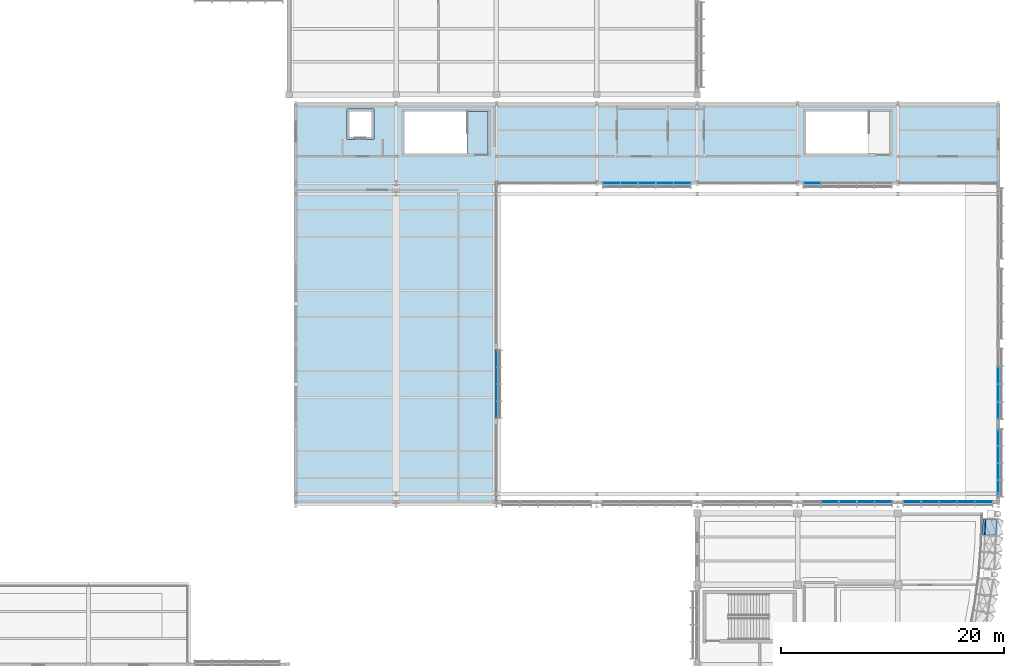
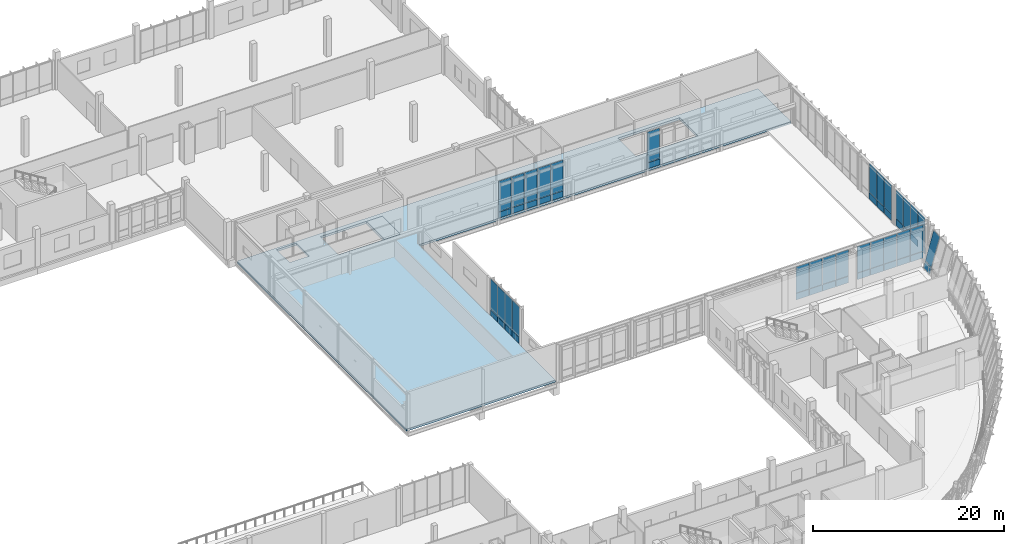
# One storey, part 141 of 177: 54 plates, 2 slabs, 8 elements without a shape of their own.
"""IFC4 building model written with IfcOpenShell, lengths in metres."""

import ifcopenshell
import ifcopenshell.guid

model = None  # the IFC model being written
_history = None  # IfcOwnerHistory: only IFC2X3 demands one
_inside = {}  # id of a spatial element -> (the spatial element, [elements in it])
_under = {}  # id of a project, library or spatial element -> (it, [spatial elements below it])
_declared = {}  # id of a project -> (the project, [libraries it declares])
_typed = {}  # id of a type object -> (the type object, [elements of that type])
_made_of = {}  # id of a material, layer set ... -> (it, [elements and type objects made of it])


def new_model(schema):
    """Start an empty IFC model of exactly this schema.

    Asked for "IFC4X3", IfcOpenShell would pick the latest addendum, in which some entities
    have other attributes; the version numbers below select the first issue.
    IFC2X3 requires an IfcOwnerHistory on every rooted entity: one is made here for all.
    """
    global model, _history
    if schema == "IFC4X3":
        model = ifcopenshell.file(schema_version=(4, 3, 0, 0))
    else:
        model = ifcopenshell.file(schema=schema)
    _inside.clear()
    _under.clear()
    _declared.clear()
    _typed.clear()
    _made_of.clear()
    _history = None
    if model.schema == "IFC2X3":
        org = make("IfcOrganization", Name="unknown")
        user = make(
            "IfcPersonAndOrganization",
            ThePerson=make("IfcPerson", FamilyName="unknown"),
            TheOrganization=org,
        )
        app = make(
            "IfcApplication",
            ApplicationDeveloper=org,
            Version="unknown",
            ApplicationFullName="unknown",
            ApplicationIdentifier="unknown",
        )
        _history = make(
            "IfcOwnerHistory",
            OwningUser=user,
            OwningApplication=app,
            ChangeAction="ADDED",
            CreationDate=0,
        )
    return model


def make(cls, **values):
    """One entity of the class cls with the attributes given. An attribute that is None is left unset."""
    return model.create_entity(
        cls, **{name: value for name, value in values.items() if value is not None}
    )


def rooted(cls, **values):
    """An entity with a GlobalId (a new one), such as an element, a storey or a relation."""
    return make(cls, GlobalId=ifcopenshell.guid.new(), OwnerHistory=_history, **values)


def si_unit(unit_type, name, prefix=None):
    """IfcSIUnit, for example si_unit("LENGTHUNIT", "METRE", prefix="MILLI")."""
    return make("IfcSIUnit", UnitType=unit_type, Prefix=prefix, Name=name)


def assignment(units):
    """IfcUnitAssignment: the units of a project."""
    return None if units is None else make("IfcUnitAssignment", Units=units)


def point(xyz):
    """IfcCartesianPoint."""
    return None if xyz is None else make("IfcCartesianPoint", Coordinates=xyz)


def direction(xyz):
    """IfcDirection."""
    return None if xyz is None else make("IfcDirection", DirectionRatios=xyz)


def frame(location, z_axis=None, x_axis=None):
    """IfcAxis2Placement3D, a coordinate frame: its origin and axes. An axis left out is left unset."""
    return make(
        "IfcAxis2Placement3D",
        Location=point(location),
        Axis=direction(z_axis),
        RefDirection=direction(x_axis),
    )


def frame_2d(location, x_axis=None):
    """IfcAxis2Placement2D, a coordinate frame in the plane: its origin and x axis."""
    return make(
        "IfcAxis2Placement2D", Location=point(location), RefDirection=direction(x_axis)
    )


def origin():
    """The frame at (0, 0, 0) with its axes left unset."""
    return frame((0.0, 0.0, 0.0))


def origin_2d():
    """The frame at (0, 0) in the plane with its x axis left unset."""
    return frame_2d((0.0, 0.0))


def place(relative_to, where):
    """IfcLocalPlacement: puts the frame where relative to a parent placement (None: the world)."""
    return make(
        "IfcLocalPlacement", PlacementRelTo=relative_to, RelativePlacement=where
    )


def context(
    kind, dimensions, precision=None, world=None, true_north=None, identifier=None
):
    """IfcGeometricRepresentationContext, for example the 3D "Model" context."""
    return make(
        "IfcGeometricRepresentationContext",
        ContextIdentifier=identifier,
        ContextType=kind,
        CoordinateSpaceDimension=dimensions,
        Precision=precision,
        WorldCoordinateSystem=world,
        TrueNorth=true_north,
    )


def subcontext(parent, identifier, kind, view, scale=None):
    """IfcGeometricRepresentationSubContext, for example "Body" below "Model"."""
    return make(
        "IfcGeometricRepresentationSubContext",
        ContextIdentifier=identifier,
        ContextType=kind,
        ParentContext=parent,
        TargetScale=scale,
        TargetView=view,
    )


def project(units=None, contexts=None):
    """IfcProject with its units and contexts."""
    return rooted(
        "IfcProject",
        Name="project",
        RepresentationContexts=contexts,
        UnitsInContext=assignment(units),
    )


def spatial(cls, under=None, at=None, **own):
    """A site, building, storey or space (cls), placed at a placement, below another one or the project."""
    s = rooted(cls, ObjectPlacement=at, **own)
    if under is not None:
        _under.setdefault(under.id(), (under, []))[1].append(s)
    return s


def polyline(points):
    """IfcPolyline through the points."""
    return make("IfcPolyline", Points=[point(p) for p in points])


def profile(cls, at=None, kind="AREA", **sizes):
    """A parametric profile (cls). Its sizes go by their IFC names, for example OverallWidth=200.0."""
    return make(cls, ProfileType=kind, Position=at, **sizes)


def rectangle(**sizes):
    """IfcRectangleProfileDef."""
    return profile("IfcRectangleProfileDef", **sizes)


def outline(outer, holes=None, kind="AREA"):
    """IfcArbitraryClosedProfileDef: a profile drawn as a closed curve; with holes, ...WithVoids."""
    if holes is None:
        return make("IfcArbitraryClosedProfileDef", ProfileType=kind, OuterCurve=outer)
    return make(
        "IfcArbitraryProfileDefWithVoids",
        ProfileType=kind,
        OuterCurve=outer,
        InnerCurves=holes,
    )


def extrude(swept, where, along, depth):
    """IfcExtrudedAreaSolid: the profile swept, set in the frame where, extruded along a direction by depth."""
    return make(
        "IfcExtrudedAreaSolid",
        SweptArea=swept,
        Position=where,
        ExtrudedDirection=direction(along),
        Depth=depth,
    )


def shape(context_of_items, identifier, shape_type, items):
    """IfcShapeRepresentation: the items that make up one representation, for example the "Body"."""
    return make(
        "IfcShapeRepresentation",
        ContextOfItems=context_of_items,
        RepresentationIdentifier=identifier,
        RepresentationType=shape_type,
        Items=items,
    )


def material(Name=None, Category=None):
    """IfcMaterial."""
    return make("IfcMaterial", Name=Name, Category=Category)


def layer(
    of_material, thickness, ventilated=None, Name=None, Category=None, Priority=None
):
    """IfcMaterialLayer: one layer of a wall or slab, of a material (None: an air gap)."""
    return make(
        "IfcMaterialLayer",
        Material=of_material,
        LayerThickness=thickness,
        IsVentilated=ventilated,
        Name=Name,
        Category=Category,
        Priority=Priority,
    )


def layer_set(layers, Name=None):
    """IfcMaterialLayerSet."""
    return make("IfcMaterialLayerSet", MaterialLayers=layers, LayerSetName=Name)


def made_of(thing, what):
    """Note that an element or type object is made of a material, layer set ...; save() writes the relation."""
    if what is not None:
        _made_of.setdefault(what.id(), (what, []))[1].append(thing)
    return thing


def type_object(cls, material=None, **own):
    """A type object (cls), such as IfcWallType, which elements share."""
    return made_of(rooted(cls, **own), material)


def element(
    cls,
    number,
    at=None,
    inside=None,
    cuts=None,
    type_object=None,
    material=None,
    context=None,
    identifier="Body",
    shape_type=None,
    held_by="IfcProductDefinitionShape",
    body=None,
    shapes=None,
    **own,
):
    """One element of the class cls, such as IfcWall. Its Tag is "e" and its number.

    at: its placement. inside: the storey or other place that contains it. cuts: it is an
    opening in that element (IfcRelVoidsElement). A single representation is given by context,
    identifier, shape_type and body (its items); several are given by shapes. held_by: the class
    of the entity that holds the representations. save() writes the other relations.
    """
    e = rooted(cls, Tag="e%d" % number, ObjectPlacement=at, **own)
    if body is not None:
        shapes = [shape(context, identifier, shape_type, body)]
    if shapes is not None:
        e.Representation = make(held_by, Representations=shapes)
    if inside is not None:
        _inside.setdefault(inside.id(), (inside, []))[1].append(e)
    if cuts is not None:
        rooted(
            "IfcRelVoidsElement", RelatingBuildingElement=cuts, RelatedOpeningElement=e
        )
    if type_object is not None:
        _typed.setdefault(type_object.id(), (type_object, []))[1].append(e)
    return made_of(e, material)


def aggregate(whole, parts):
    """IfcRelAggregates: a whole, such as a stair, and the parts it consists of."""
    return rooted("IfcRelAggregates", RelatingObject=whole, RelatedObjects=parts)


def save(model, path):
    """Write the relations noted so far, then the file.

    IfcRelAggregates (storeys below a building ...), IfcRelContainedInSpatialStructure (elements
    in a storey), IfcRelDefinesByType, IfcRelAssociatesMaterial and IfcRelDeclares: one each for
    every whole, place, type object, material and project.
    """
    for whole, parts in _under.values():
        aggregate(whole, parts)
    for where, things in _inside.values():
        rooted(
            "IfcRelContainedInSpatialStructure",
            RelatedElements=things,
            RelatingStructure=where,
        )
    for kind, things in _typed.values():
        rooted("IfcRelDefinesByType", RelatedObjects=things, RelatingType=kind)
    for what, things in _made_of.values():
        rooted("IfcRelAssociatesMaterial", RelatedObjects=things, RelatingMaterial=what)
    for by, libraries in _declared.values():
        rooted("IfcRelDeclares", RelatingContext=by, RelatedDefinitions=libraries)
    model.write(path)


model = new_model("IFC4")

# Units and contexts
model_context = context("Model", 3, precision=1e-05, world=origin(), true_north=direction((0.0, 1.0)))
body_context = subcontext(model_context, "Body", "Model", "MODEL_VIEW")
ifc_project = project(units=[si_unit("LENGTHUNIT", "METRE"), si_unit("AREAUNIT", "SQUARE_METRE"), si_unit("VOLUMEUNIT", "CUBIC_METRE"), si_unit("PLANEANGLEUNIT", "RADIAN"), si_unit("MASSUNIT", "GRAM", prefix="KILO")], contexts=[model_context])

# Site, building, storey
site_placement = place(None, origin())
site = spatial("IfcSite", under=ifc_project, at=site_placement, CompositionType="ELEMENT")
building_placement = place(site_placement, origin())
building = spatial("IfcBuilding", under=site, at=building_placement, Name="Chiffa Square Polytechnic", CompositionType="ELEMENT")
storey_placement = place(building_placement, frame((0.0, 0.0, 4.800048828125)))
storey = spatial("IfcBuildingStorey", under=building, at=storey_placement, Name="L01", CompositionType="ELEMENT", Elevation=4.800048828125)

# Curtain wall, plate
ifc_material_1 = material(Name="Aluminium EN AW-6060 T66 and glulam shading", Category="wood")
curtain_wall_type_1 = type_object("IfcCurtainWallType", Name="CW-PROW-LEAN-150", PredefinedType="USERDEFINED", material=ifc_material_1)
curtain_wall_1_placement = place(storey_placement, origin())
curtain_wall_1 = element("IfcCurtainWall", 1, at=curtain_wall_1_placement, inside=storey, type_object=curtain_wall_type_1, Name="Outward-leaning diamond-fin prow curtain wall CW-V1-L01-026", ObjectType="CURTAIN WALL", PredefinedType="USERDEFINED")
ifc_material_2 = material(Name="Double glazing", Category="glass")
ifc_layer_1 = layer(ifc_material_2, 0.035888671875, Name="Double glazing")
ifc_layer_set_1 = layer_set([ifc_layer_1], Name="Double glazing")
plate_type_1 = type_object("IfcPlateType", Name="CWP-GLZ-120X145", PredefinedType="CURTAIN_PANEL", material=ifc_layer_set_1)
plate_1_placement = place(storey_placement, frame((173.992431640625, 55.4873046875, 0.8779296875), z_axis=(-0.960992859047, 0.050322119291, 0.271956631048), x_axis=(0.052292839583, 0.998631793469, -8.19321e-07)))
plate_1 = element("IfcPlate", 2, at=plate_1_placement, type_object=plate_type_1, Name="Leaning prow curtain panel CW-V1-L01-026-PN03", PredefinedType="CURTAIN_PANEL", context=body_context, shape_type="SweptSolid", body=[
    extrude(outline(polyline([(0.0, 0.0), (1.3820176291500053, 0.0), (1.4334332251272484, -3.6964511396479267), (0.018899951834543963, -3.6964487586324872), (0.0, 0.0)])), origin(), (0.0, 0.0, -1.0), 0.035888671875),
])

curtain_wall_type_2 = type_object("IfcCurtainWallType", Name="CW-VERT-360X380", PredefinedType="USERDEFINED", material=ifc_material_1)
curtain_wall_2_placement = place(storey_placement, origin())
curtain_wall_2 = element("IfcCurtainWall", 3, at=curtain_wall_2_placement, inside=storey, type_object=curtain_wall_type_2, Name="Curtain wall CW-V2-L01-149", ObjectType="CURTAIN WALL", PredefinedType="USERDEFINED")
ifc_layer_2 = layer(ifc_material_2, 0.0458984375, Name="Double glazing")
ifc_layer_set_2 = layer_set([ifc_layer_2], Name="Double glazing")
plate_type_2 = type_object("IfcPlateType", Name="CWP-GLZ-128X106", PredefinedType="CURTAIN_PANEL", material=ifc_layer_set_2)
plate_2_placement = place(storey_placement, frame((158.54296875, 87.0, 0.83984375), z_axis=(0.0, 0.0, 1.0), x_axis=(1.0, 0.0, 0.0)))
plate_2 = element("IfcPlate", 4, at=plate_2_placement, type_object=plate_type_2, Name="Glazed curtain panel CW-V2-L01-149-PN01", PredefinedType="CURTAIN_PANEL", context=body_context, shape_type="SweptSolid", body=[
    extrude(rectangle(XDim=1.510009765625, YDim=0.0458984375, at=origin_2d()), origin(), (0.0, 0.0, 1.0), 3.909912109375),
])

# Curtain wall, plates
curtain_wall_type_3 = type_object("IfcCurtainWallType", Name="CW-VERT-600X380", PredefinedType="USERDEFINED", material=ifc_material_1)
curtain_wall_3_placement = place(storey_placement, origin())
curtain_wall_3 = element("IfcCurtainWall", 5, at=curtain_wall_3_placement, inside=storey, type_object=curtain_wall_type_3, Name="Curtain wall CW-V2-L01-148", ObjectType="CURTAIN WALL", PredefinedType="USERDEFINED")
ifc_layer_3 = layer(ifc_material_2, 0.0458984375, Name="Double glazing")
ifc_layer_set_3 = layer_set([ifc_layer_3], Name="Double glazing")
plate_type_3 = type_object("IfcPlateType", Name="CWP-GLZ-130X110", PredefinedType="CURTAIN_PANEL", material=ifc_layer_set_3)
plate_3_placement = place(storey_placement, frame((140.54296875, 87.0, 0.83984375), z_axis=(0.0, 0.0, 1.0), x_axis=(1.0, 0.0, 0.0)))
plate_3 = element("IfcPlate", 6, at=plate_3_placement, type_object=plate_type_3, Name="Glazed curtain panel CW-V2-L01-148-PN01", PredefinedType="CURTAIN_PANEL", context=body_context, shape_type="SweptSolid", body=[
    extrude(rectangle(XDim=1.510009765625, YDim=0.0458984375, at=origin_2d()), origin(), (0.0, 0.0, 1.0), 3.909912109375),
])
plate_4_placement = place(storey_placement, frame((142.115966796875, 87.0, 0.83984375), z_axis=(0.0, 0.0, 1.0), x_axis=(1.0, 0.0, 0.0)))
plate_4 = element("IfcPlate", 7, at=plate_4_placement, type_object=plate_type_3, Name="Glazed curtain panel CW-V2-L01-148-PN02", PredefinedType="CURTAIN_PANEL", context=body_context, shape_type="SweptSolid", body=[
    extrude(rectangle(XDim=1.531982421875, YDim=0.0458984375, at=origin_2d()), origin(), (0.0, 0.0, 1.0), 3.909912109375),
])
plate_5_placement = place(storey_placement, frame((143.699951171875, 87.0, 0.83984375), z_axis=(0.0, 0.0, 1.0), x_axis=(1.0, 0.0, 0.0)))
plate_5 = element("IfcPlate", 8, at=plate_5_placement, type_object=plate_type_3, Name="Glazed curtain panel CW-V2-L01-148-PN03", PredefinedType="CURTAIN_PANEL", context=body_context, shape_type="SweptSolid", body=[
    extrude(rectangle(XDim=1.531982421875, YDim=0.0458984375, at=origin_2d()), origin(), (0.0, 0.0, 1.0), 3.909912109375),
])
plate_6_placement = place(storey_placement, frame((145.283935546875, 87.0, 0.83984375), z_axis=(0.0, 0.0, 1.0), x_axis=(1.0, 0.0, 0.0)))
plate_6 = element("IfcPlate", 9, at=plate_6_placement, type_object=plate_type_3, Name="Glazed curtain panel CW-V2-L01-148-PN04", PredefinedType="CURTAIN_PANEL", context=body_context, shape_type="SweptSolid", body=[
    extrude(rectangle(XDim=1.531982421875, YDim=0.0458984375, at=origin_2d()), origin(), (0.0, 0.0, 1.0), 3.909912109375),
])
plate_7_placement = place(storey_placement, frame((146.85693359375, 87.0, 0.83984375), z_axis=(0.0, 0.0, 1.0), x_axis=(1.0, 0.0, 0.0)))
plate_7 = element("IfcPlate", 10, at=plate_7_placement, type_object=plate_type_3, Name="Glazed curtain panel CW-V2-L01-148-PN05", PredefinedType="CURTAIN_PANEL", context=body_context, shape_type="SweptSolid", body=[
    extrude(rectangle(XDim=1.510009765625, YDim=0.0458984375, at=origin_2d()), origin(), (0.0, 0.0, 1.0), 3.909912109375),
])

curtain_wall_type_4 = type_object("IfcCurtainWallType", Name="CW-VERT-300X380", PredefinedType="USERDEFINED", material=ifc_material_1)
curtain_wall_4_placement = place(storey_placement, origin())
curtain_wall_4 = element("IfcCurtainWall", 11, at=curtain_wall_4_placement, inside=storey, type_object=curtain_wall_type_4, Name="Curtain wall CW-V2-L01-147", ObjectType="CURTAIN WALL", PredefinedType="USERDEFINED")
ifc_layer_4 = layer(ifc_material_2, 0.0439453125, Name="Double glazing")
ifc_layer_set_4 = layer_set([ifc_layer_4], Name="Double glazing")
plate_type_4 = type_object("IfcPlateType", Name="CWP-GLZ-132X114", PredefinedType="CURTAIN_PANEL", material=ifc_layer_set_4)
plate_8_placement = place(storey_placement, frame((130.199951171875, 66.716064453125, 0.83984375), z_axis=(0.0, 0.0, 1.0), x_axis=(0.0, 1.0, 0.0)))
plate_8 = element("IfcPlate", 12, at=plate_8_placement, type_object=plate_type_4, Name="Glazed curtain panel CW-V2-L01-147-PN01", PredefinedType="CURTAIN_PANEL", context=body_context, shape_type="SweptSolid", body=[
    extrude(rectangle(XDim=1.4560546875, YDim=0.0439453125, at=origin_2d()), origin(), (0.0, 0.0, 1.0), 3.909912109375),
])
plate_9_placement = place(storey_placement, frame((130.199951171875, 68.235107421875, 0.83984375), z_axis=(0.0, 0.0, 1.0), x_axis=(0.0, 1.0, 0.0)))
plate_9 = element("IfcPlate", 13, at=plate_9_placement, type_object=plate_type_4, Name="Glazed curtain panel CW-V2-L01-147-PN02", PredefinedType="CURTAIN_PANEL", context=body_context, shape_type="SweptSolid", body=[
    extrude(rectangle(XDim=1.47802734375, YDim=0.0439453125, at=origin_2d()), origin(), (0.0, 0.0, 1.0), 3.909912109375),
])
plate_10_placement = place(storey_placement, frame((130.199951171875, 69.764892578125, 0.83984375), z_axis=(0.0, 0.0, 1.0), x_axis=(0.0, 1.0, 0.0)))
plate_10 = element("IfcPlate", 14, at=plate_10_placement, type_object=plate_type_4, Name="Glazed curtain panel CW-V2-L01-147-PN03", PredefinedType="CURTAIN_PANEL", context=body_context, shape_type="SweptSolid", body=[
    extrude(rectangle(XDim=1.47802734375, YDim=0.0439453125, at=origin_2d()), origin(), (0.0, 0.0, 1.0), 3.909912109375),
])
plate_11_placement = place(storey_placement, frame((130.199951171875, 71.283935546875, 0.83984375), z_axis=(0.0, 0.0, 1.0), x_axis=(0.0, 1.0, 0.0)))
plate_11 = element("IfcPlate", 15, at=plate_11_placement, type_object=plate_type_4, Name="Glazed curtain panel CW-V2-L01-147-PN04", PredefinedType="CURTAIN_PANEL", context=body_context, shape_type="SweptSolid", body=[
    extrude(rectangle(XDim=1.4560546875, YDim=0.0439453125, at=origin_2d()), origin(), (0.0, 0.0, 1.0), 3.909912109375),
])

curtain_wall_5_placement = place(storey_placement, origin())
curtain_wall_5 = element("IfcCurtainWall", 16, at=curtain_wall_5_placement, inside=storey, type_object=curtain_wall_type_3, Name="Curtain wall CW-V2-L01S-04", ObjectType="CURTAIN WALL", PredefinedType="USERDEFINED")
ifc_layer_5 = layer(ifc_material_2, 0.035888671875, Name="Double glazing")
ifc_layer_set_5 = layer_set([ifc_layer_5], Name="Double glazing")
plate_type_5 = type_object("IfcPlateType", Name="CWP-GLZ-150X145", PredefinedType="CURTAIN_PANEL", material=ifc_layer_set_5)
plate_12_placement = place(storey_placement, frame((160.092041015625, 58.449951171875, 0.91943359375), z_axis=(0.0, 0.0, 1.0), x_axis=(1.0, 0.0, 0.0)))
plate_12 = element("IfcPlate", 17, at=plate_12_placement, type_object=plate_type_5, Name="Glazed curtain panel CW-V2-L01S-04-PN02", PredefinedType="CURTAIN_PANEL", context=body_context, shape_type="SweptSolid", body=[
    extrude(rectangle(XDim=1.555908203125, YDim=0.035888671875, at=origin_2d()), origin(), (0.0, 0.0, 1.0), 3.364990234375),
])
plate_13_placement = place(storey_placement, frame((161.699951171875, 58.449951171875, 0.91943359375), z_axis=(0.0, 0.0, 1.0), x_axis=(1.0, 0.0, 0.0)))
plate_13 = element("IfcPlate", 18, at=plate_13_placement, type_object=plate_type_5, Name="Glazed curtain panel CW-V2-L01S-04-PN03", PredefinedType="CURTAIN_PANEL", context=body_context, shape_type="SweptSolid", body=[
    extrude(rectangle(XDim=1.555908203125, YDim=0.035888671875, at=origin_2d()), origin(), (0.0, 0.0, 1.0), 3.364990234375),
])
plate_14_placement = place(storey_placement, frame((163.30810546875, 58.449951171875, 0.91943359375), z_axis=(0.0, 0.0, 1.0), x_axis=(1.0, 0.0, 0.0)))
plate_14 = element("IfcPlate", 19, at=plate_14_placement, type_object=plate_type_5, Name="Glazed curtain panel CW-V2-L01S-04-PN04", PredefinedType="CURTAIN_PANEL", context=body_context, shape_type="SweptSolid", body=[
    extrude(rectangle(XDim=1.555908203125, YDim=0.035888671875, at=origin_2d()), origin(), (0.0, 0.0, 1.0), 3.364990234375),
])
plate_15_placement = place(storey_placement, frame((164.905029296875, 58.449951171875, 0.91943359375), z_axis=(0.0, 0.0, 1.0), x_axis=(1.0, 0.0, 0.0)))
plate_15 = element("IfcPlate", 20, at=plate_15_placement, type_object=plate_type_5, Name="Glazed curtain panel CW-V2-L01S-04-PN05", PredefinedType="CURTAIN_PANEL", context=body_context, shape_type="SweptSolid", body=[
    extrude(rectangle(XDim=1.533935546875, YDim=0.035888671875, at=origin_2d()), origin(), (0.0, 0.0, 1.0), 3.364990234375),
])

curtain_wall_6_placement = place(storey_placement, origin())
curtain_wall_6 = element("IfcCurtainWall", 21, at=curtain_wall_6_placement, inside=storey, type_object=curtain_wall_type_2, Name="Curtain wall CW-V2-L01S-05", ObjectType="CURTAIN WALL", PredefinedType="USERDEFINED")
plate_16_placement = place(storey_placement, frame((167.4951171875, 58.449951171875, 0.91943359375), z_axis=(0.0, 0.0, 1.0), x_axis=(1.0, 0.0, 0.0)))
plate_16 = element("IfcPlate", 22, at=plate_16_placement, type_object=plate_type_5, Name="Glazed curtain panel CW-V2-L01S-05-PN01", PredefinedType="CURTAIN_PANEL", context=body_context, shape_type="SweptSolid", body=[
    extrude(rectangle(XDim=1.533935546875, YDim=0.035888671875, at=origin_2d()), origin(), (0.0, 0.0, 1.0), 3.364990234375),
])
plate_17_placement = place(storey_placement, frame((169.092041015625, 58.449951171875, 0.91943359375), z_axis=(0.0, 0.0, 1.0), x_axis=(1.0, 0.0, 0.0)))
plate_17 = element("IfcPlate", 23, at=plate_17_placement, type_object=plate_type_5, Name="Glazed curtain panel CW-V2-L01S-05-PN02", PredefinedType="CURTAIN_PANEL", context=body_context, shape_type="SweptSolid", body=[
    extrude(rectangle(XDim=1.555908203125, YDim=0.035888671875, at=origin_2d()), origin(), (0.0, 0.0, 1.0), 3.364990234375),
])
plate_18_placement = place(storey_placement, frame((170.699951171875, 58.449951171875, 0.91943359375), z_axis=(0.0, 0.0, 1.0), x_axis=(1.0, 0.0, 0.0)))
plate_18 = element("IfcPlate", 24, at=plate_18_placement, type_object=plate_type_5, Name="Glazed curtain panel CW-V2-L01S-05-PN03", PredefinedType="CURTAIN_PANEL", context=body_context, shape_type="SweptSolid", body=[
    extrude(rectangle(XDim=1.555908203125, YDim=0.035888671875, at=origin_2d()), origin(), (0.0, 0.0, 1.0), 3.364990234375),
])
plate_19_placement = place(storey_placement, frame((172.30810546875, 58.449951171875, 0.91943359375), z_axis=(0.0, 0.0, 1.0), x_axis=(1.0, 0.0, 0.0)))
plate_19 = element("IfcPlate", 25, at=plate_19_placement, type_object=plate_type_5, Name="Glazed curtain panel CW-V2-L01S-05-PN04", PredefinedType="CURTAIN_PANEL", context=body_context, shape_type="SweptSolid", body=[
    extrude(rectangle(XDim=1.555908203125, YDim=0.035888671875, at=origin_2d()), origin(), (0.0, 0.0, 1.0), 3.364990234375),
])
plate_20_placement = place(storey_placement, frame((173.905029296875, 58.449951171875, 0.91943359375), z_axis=(0.0, 0.0, 1.0), x_axis=(1.0, 0.0, 0.0)))
plate_20 = element("IfcPlate", 26, at=plate_20_placement, type_object=plate_type_5, Name="Glazed curtain panel CW-V2-L01S-05-PN05", PredefinedType="CURTAIN_PANEL", context=body_context, shape_type="SweptSolid", body=[
    extrude(rectangle(XDim=1.533935546875, YDim=0.035888671875, at=origin_2d()), origin(), (0.0, 0.0, 1.0), 3.364990234375),
])

curtain_wall_type_5 = type_object("IfcCurtainWallType", Name="CW-VERT-600X440", PredefinedType="USERDEFINED", material=ifc_material_1)
curtain_wall_7_placement = place(storey_placement, origin())
curtain_wall_7 = element("IfcCurtainWall", 27, at=curtain_wall_7_placement, inside=storey, type_object=curtain_wall_type_5, Name="Curtain wall CW-V2-L01E-01", ObjectType="CURTAIN WALL", PredefinedType="USERDEFINED")
plate_21_placement = place(storey_placement, frame((175.199951171875, 59.64501953125, 0.9599609375), z_axis=(0.0, 0.0, 1.0), x_axis=(0.0, 1.0, 0.0)))
plate_21 = element("IfcPlate", 28, at=plate_21_placement, type_object=plate_type_5, Name="Glazed curtain panel CW-V2-L01E-01-PN01", PredefinedType="CURTAIN_PANEL", context=body_context, shape_type="SweptSolid", body=[
    extrude(rectangle(XDim=1.4541015625, YDim=0.035888671875, at=origin_2d()), origin(), (0.0, 0.0, 1.0), 3.7099609375),
])
plate_22_placement = place(storey_placement, frame((175.199951171875, 61.160888671875, 0.9599609375), z_axis=(0.0, 0.0, 1.0), x_axis=(0.0, 1.0, 0.0)))
plate_22 = element("IfcPlate", 29, at=plate_22_placement, type_object=plate_type_5, Name="Glazed curtain panel CW-V2-L01E-01-PN02", PredefinedType="CURTAIN_PANEL", context=body_context, shape_type="SweptSolid", body=[
    extrude(rectangle(XDim=1.47607421875, YDim=0.035888671875, at=origin_2d()), origin(), (0.0, 0.0, 1.0), 3.7099609375),
])
plate_23_placement = place(storey_placement, frame((175.199951171875, 62.68896484375, 0.9599609375), z_axis=(0.0, 0.0, 1.0), x_axis=(0.0, 1.0, 0.0)))
plate_23 = element("IfcPlate", 30, at=plate_23_placement, type_object=plate_type_5, Name="Glazed curtain panel CW-V2-L01E-01-PN03", PredefinedType="CURTAIN_PANEL", context=body_context, shape_type="SweptSolid", body=[
    extrude(rectangle(XDim=1.47607421875, YDim=0.035888671875, at=origin_2d()), origin(), (0.0, 0.0, 1.0), 3.7099609375),
])
plate_24_placement = place(storey_placement, frame((175.199951171875, 64.205078125, 0.9599609375), z_axis=(0.0, 0.0, 1.0), x_axis=(0.0, 1.0, 0.0)))
plate_24 = element("IfcPlate", 31, at=plate_24_placement, type_object=plate_type_5, Name="Glazed curtain panel CW-V2-L01E-01-PN04", PredefinedType="CURTAIN_PANEL", context=body_context, shape_type="SweptSolid", body=[
    extrude(rectangle(XDim=1.4541015625, YDim=0.035888671875, at=origin_2d()), origin(), (0.0, 0.0, 1.0), 3.7099609375),
])

curtain_wall_type_6 = type_object("IfcCurtainWallType", Name="CW-VERT-450X380", PredefinedType="USERDEFINED", material=ifc_material_1)
curtain_wall_8_placement = place(storey_placement, origin())
curtain_wall_8 = element("IfcCurtainWall", 32, at=curtain_wall_8_placement, inside=storey, type_object=curtain_wall_type_6, Name="Curtain wall CW-V2-L01E-02", ObjectType="CURTAIN WALL", PredefinedType="USERDEFINED")
plate_25_placement = place(storey_placement, frame((175.199951171875, 66.6259765625, 0.9599609375), z_axis=(0.0, 0.0, 1.0), x_axis=(0.0, 1.0, 0.0)))
plate_25 = element("IfcPlate", 33, at=plate_25_placement, type_object=plate_type_5, Name="Glazed curtain panel CW-V2-L01E-02-PN01", PredefinedType="CURTAIN_PANEL", context=body_context, shape_type="SweptSolid", body=[
    extrude(rectangle(XDim=1.51611328125, YDim=0.035888671875, at=origin_2d()), origin(), (0.0, 0.0, 1.0), 3.7099609375),
])
plate_26_placement = place(storey_placement, frame((175.199951171875, 68.205078125, 0.9599609375), z_axis=(0.0, 0.0, 1.0), x_axis=(0.0, 1.0, 0.0)))
plate_26 = element("IfcPlate", 34, at=plate_26_placement, type_object=plate_type_5, Name="Glazed curtain panel CW-V2-L01E-02-PN02", PredefinedType="CURTAIN_PANEL", context=body_context, shape_type="SweptSolid", body=[
    extrude(rectangle(XDim=1.5380859375, YDim=0.035888671875, at=origin_2d()), origin(), (0.0, 0.0, 1.0), 3.7099609375),
])
plate_27_placement = place(storey_placement, frame((175.199951171875, 69.794921875, 0.9599609375), z_axis=(0.0, 0.0, 1.0), x_axis=(0.0, 1.0, 0.0)))
plate_27 = element("IfcPlate", 35, at=plate_27_placement, type_object=plate_type_5, Name="Glazed curtain panel CW-V2-L01E-02-PN03", PredefinedType="CURTAIN_PANEL", context=body_context, shape_type="SweptSolid", body=[
    extrude(rectangle(XDim=1.5380859375, YDim=0.035888671875, at=origin_2d()), origin(), (0.0, 0.0, 1.0), 3.7099609375),
])

# Plate
ifc_material_3 = material(Name="Aluminium insulated spandrel", Category="aluminium")
ifc_layer_6 = layer(ifc_material_3, 0.072021484375, Name="Aluminium insulated spandrel")
ifc_layer_set_6 = layer_set([ifc_layer_6], Name="Aluminium insulated spandrel")
plate_type_6 = type_object("IfcPlateType", Name="CWP-SPN-136X072", PredefinedType="SHEET", material=ifc_layer_set_6)
plate_28_placement = place(storey_placement, frame((158.54296875, 87.0, 0.050048828125), z_axis=(0.0, 0.0, 1.0), x_axis=(1.0, 0.0, 0.0)))
plate_28 = element("IfcPlate", 36, at=plate_28_placement, type_object=plate_type_6, Name="Spandrel panel CW-V2-L01-149-SP01", PredefinedType="SHEET", context=body_context, shape_type="SweptSolid", body=[
    extrude(rectangle(XDim=1.510009765625, YDim=0.072021484375, at=origin_2d()), origin(), (0.0, 0.0, 1.0), 0.75),
])

aggregate(curtain_wall_2, [plate_28, plate_2])

ifc_layer_7 = layer(ifc_material_3, 0.070068359375, Name="Aluminium insulated spandrel")
ifc_layer_set_7 = layer_set([ifc_layer_7], Name="Aluminium insulated spandrel")
plate_type_7 = type_object("IfcPlateType", Name="CWP-SPN-138X074", PredefinedType="SHEET", material=ifc_layer_set_7)
plate_29_placement = place(storey_placement, frame((140.54296875, 87.0, 0.050048828125), z_axis=(0.0, 0.0, 1.0), x_axis=(1.0, 0.0, 0.0)))
plate_29 = element("IfcPlate", 37, at=plate_29_placement, type_object=plate_type_7, Name="Spandrel panel CW-V2-L01-148-SP01", PredefinedType="SHEET", context=body_context, shape_type="SweptSolid", body=[
    extrude(rectangle(XDim=1.510009765625, YDim=0.070068359375, at=origin_2d()), origin(), (0.0, 0.0, 1.0), 0.75),
])

plate_30_placement = place(storey_placement, frame((142.115966796875, 87.0, 0.050048828125), z_axis=(0.0, 0.0, 1.0), x_axis=(1.0, 0.0, 0.0)))
plate_30 = element("IfcPlate", 38, at=plate_30_placement, type_object=plate_type_7, Name="Spandrel panel CW-V2-L01-148-SP02", PredefinedType="SHEET", context=body_context, shape_type="SweptSolid", body=[
    extrude(rectangle(XDim=1.531982421875, YDim=0.070068359375, at=origin_2d()), origin(), (0.0, 0.0, 1.0), 0.75),
])

plate_31_placement = place(storey_placement, frame((143.699951171875, 87.0, 0.050048828125), z_axis=(0.0, 0.0, 1.0), x_axis=(1.0, 0.0, 0.0)))
plate_31 = element("IfcPlate", 39, at=plate_31_placement, type_object=plate_type_7, Name="Spandrel panel CW-V2-L01-148-SP03", PredefinedType="SHEET", context=body_context, shape_type="SweptSolid", body=[
    extrude(rectangle(XDim=1.531982421875, YDim=0.070068359375, at=origin_2d()), origin(), (0.0, 0.0, 1.0), 0.75),
])

plate_32_placement = place(storey_placement, frame((145.283935546875, 87.0, 0.050048828125), z_axis=(0.0, 0.0, 1.0), x_axis=(1.0, 0.0, 0.0)))
plate_32 = element("IfcPlate", 40, at=plate_32_placement, type_object=plate_type_7, Name="Spandrel panel CW-V2-L01-148-SP04", PredefinedType="SHEET", context=body_context, shape_type="SweptSolid", body=[
    extrude(rectangle(XDim=1.531982421875, YDim=0.070068359375, at=origin_2d()), origin(), (0.0, 0.0, 1.0), 0.75),
])

plate_33_placement = place(storey_placement, frame((146.85693359375, 87.0, 0.050048828125), z_axis=(0.0, 0.0, 1.0), x_axis=(1.0, 0.0, 0.0)))
plate_33 = element("IfcPlate", 41, at=plate_33_placement, type_object=plate_type_7, Name="Spandrel panel CW-V2-L01-148-SP05", PredefinedType="SHEET", context=body_context, shape_type="SweptSolid", body=[
    extrude(rectangle(XDim=1.510009765625, YDim=0.070068359375, at=origin_2d()), origin(), (0.0, 0.0, 1.0), 0.75),
])

aggregate(curtain_wall_3, [plate_29, plate_3, plate_30, plate_4, plate_31, plate_5, plate_32, plate_6, plate_33, plate_7])

ifc_layer_8 = layer(ifc_material_3, 0.068115234375, Name="Aluminium insulated spandrel")
ifc_layer_set_8 = layer_set([ifc_layer_8], Name="Aluminium insulated spandrel")
plate_type_8 = type_object("IfcPlateType", Name="CWP-SPN-140X076", PredefinedType="SHEET", material=ifc_layer_set_8)
plate_34_placement = place(storey_placement, frame((130.199951171875, 66.716064453125, 0.050048828125), z_axis=(0.0, 0.0, 1.0), x_axis=(0.0, 1.0, 0.0)))
plate_34 = element("IfcPlate", 42, at=plate_34_placement, type_object=plate_type_8, Name="Spandrel panel CW-V2-L01-147-SP01", PredefinedType="SHEET", context=body_context, shape_type="SweptSolid", body=[
    extrude(rectangle(XDim=1.4560546875, YDim=0.068115234375, at=origin_2d()), origin(), (0.0, 0.0, 1.0), 0.75),
])

plate_35_placement = place(storey_placement, frame((130.199951171875, 68.235107421875, 0.050048828125), z_axis=(0.0, 0.0, 1.0), x_axis=(0.0, 1.0, 0.0)))
plate_35 = element("IfcPlate", 43, at=plate_35_placement, type_object=plate_type_8, Name="Spandrel panel CW-V2-L01-147-SP02", PredefinedType="SHEET", context=body_context, shape_type="SweptSolid", body=[
    extrude(rectangle(XDim=1.47802734375, YDim=0.068115234375, at=origin_2d()), origin(), (0.0, 0.0, 1.0), 0.75),
])

plate_36_placement = place(storey_placement, frame((130.199951171875, 69.764892578125, 0.050048828125), z_axis=(0.0, 0.0, 1.0), x_axis=(0.0, 1.0, 0.0)))
plate_36 = element("IfcPlate", 44, at=plate_36_placement, type_object=plate_type_8, Name="Spandrel panel CW-V2-L01-147-SP03", PredefinedType="SHEET", context=body_context, shape_type="SweptSolid", body=[
    extrude(rectangle(XDim=1.47802734375, YDim=0.068115234375, at=origin_2d()), origin(), (0.0, 0.0, 1.0), 0.75),
])

plate_37_placement = place(storey_placement, frame((130.199951171875, 71.283935546875, 0.050048828125), z_axis=(0.0, 0.0, 1.0), x_axis=(0.0, 1.0, 0.0)))
plate_37 = element("IfcPlate", 45, at=plate_37_placement, type_object=plate_type_8, Name="Spandrel panel CW-V2-L01-147-SP04", PredefinedType="SHEET", context=body_context, shape_type="SweptSolid", body=[
    extrude(rectangle(XDim=1.4560546875, YDim=0.068115234375, at=origin_2d()), origin(), (0.0, 0.0, 1.0), 0.75),
])

aggregate(curtain_wall_4, [plate_34, plate_8, plate_35, plate_9, plate_36, plate_10, plate_37, plate_11])

ifc_layer_9 = layer(ifc_material_3, 0.06591796875, Name="Aluminium insulated spandrel")
ifc_layer_set_9 = layer_set([ifc_layer_9], Name="Aluminium insulated spandrel")
plate_type_9 = type_object("IfcPlateType", Name="CWP-SPN-144X078", PredefinedType="SHEET", material=ifc_layer_set_9)
plate_38_placement = place(storey_placement, frame((173.758544921875, 55.4951171875, 0.050048828125), z_axis=(-0.960993894526, 0.050291502375, 0.271958635593), x_axis=(0.052257783446, 0.998633628472, -1.2408743e-05)))
plate_38 = element("IfcPlate", 46, at=plate_38_placement, type_object=plate_type_9, Name="Leaning prow curtain panel CW-V1-L01-026-SP03", PredefinedType="SHEET", context=body_context, shape_type="SweptSolid", body=[
    extrude(outline(polyline([(0.0, 0.0), (1.3746779006913308, 0.0), (1.3855993392852097, -0.8022266196296088), (0.004069325028422097, -0.8021910789887431), (0.0, 0.0)])), origin(), (0.0, 0.0, -1.0), 0.06591796875),
])

aggregate(curtain_wall_1, [plate_38, plate_1])

ifc_layer_10 = layer(ifc_material_3, 0.06005859375, Name="Aluminium insulated spandrel")
ifc_layer_set_10 = layer_set([ifc_layer_10], Name="Aluminium insulated spandrel")
plate_type_10 = type_object("IfcPlateType", Name="CWP-SPN-150X095", PredefinedType="SHEET", material=ifc_layer_set_10)
plate_39_placement = place(storey_placement, frame((160.092041015625, 58.449951171875, 0.0498046875), z_axis=(0.0, 0.0, 1.0), x_axis=(1.0, 0.0, 0.0)))
plate_39 = element("IfcPlate", 47, at=plate_39_placement, type_object=plate_type_10, Name="Spandrel panel CW-V2-L01S-04-SP02", PredefinedType="SHEET", context=body_context, shape_type="SweptSolid", body=[
    extrude(rectangle(XDim=1.555908203125, YDim=0.06005859375, at=origin_2d()), origin(), (0.0, 0.0, 1.0), 0.830078125),
])

plate_40_placement = place(storey_placement, frame((161.699951171875, 58.449951171875, 0.0498046875), z_axis=(0.0, 0.0, 1.0), x_axis=(1.0, 0.0, 0.0)))
plate_40 = element("IfcPlate", 48, at=plate_40_placement, type_object=plate_type_10, Name="Spandrel panel CW-V2-L01S-04-SP03", PredefinedType="SHEET", context=body_context, shape_type="SweptSolid", body=[
    extrude(rectangle(XDim=1.555908203125, YDim=0.06005859375, at=origin_2d()), origin(), (0.0, 0.0, 1.0), 0.830078125),
])

plate_41_placement = place(storey_placement, frame((163.30810546875, 58.449951171875, 0.0498046875), z_axis=(0.0, 0.0, 1.0), x_axis=(1.0, 0.0, 0.0)))
plate_41 = element("IfcPlate", 49, at=plate_41_placement, type_object=plate_type_10, Name="Spandrel panel CW-V2-L01S-04-SP04", PredefinedType="SHEET", context=body_context, shape_type="SweptSolid", body=[
    extrude(rectangle(XDim=1.555908203125, YDim=0.06005859375, at=origin_2d()), origin(), (0.0, 0.0, 1.0), 0.830078125),
])

plate_42_placement = place(storey_placement, frame((164.905029296875, 58.449951171875, 0.0498046875), z_axis=(0.0, 0.0, 1.0), x_axis=(1.0, 0.0, 0.0)))
plate_42 = element("IfcPlate", 50, at=plate_42_placement, type_object=plate_type_10, Name="Spandrel panel CW-V2-L01S-04-SP05", PredefinedType="SHEET", context=body_context, shape_type="SweptSolid", body=[
    extrude(rectangle(XDim=1.533935546875, YDim=0.06005859375, at=origin_2d()), origin(), (0.0, 0.0, 1.0), 0.830078125),
])

aggregate(curtain_wall_5, [plate_39, plate_12, plate_40, plate_13, plate_41, plate_14, plate_42, plate_15])

plate_43_placement = place(storey_placement, frame((167.4951171875, 58.449951171875, 0.0498046875), z_axis=(0.0, 0.0, 1.0), x_axis=(1.0, 0.0, 0.0)))
plate_43 = element("IfcPlate", 51, at=plate_43_placement, type_object=plate_type_10, Name="Spandrel panel CW-V2-L01S-05-SP01", PredefinedType="SHEET", context=body_context, shape_type="SweptSolid", body=[
    extrude(rectangle(XDim=1.533935546875, YDim=0.06005859375, at=origin_2d()), origin(), (0.0, 0.0, 1.0), 0.830078125),
])

plate_44_placement = place(storey_placement, frame((169.092041015625, 58.449951171875, 0.0498046875), z_axis=(0.0, 0.0, 1.0), x_axis=(1.0, 0.0, 0.0)))
plate_44 = element("IfcPlate", 52, at=plate_44_placement, type_object=plate_type_10, Name="Spandrel panel CW-V2-L01S-05-SP02", PredefinedType="SHEET", context=body_context, shape_type="SweptSolid", body=[
    extrude(rectangle(XDim=1.555908203125, YDim=0.06005859375, at=origin_2d()), origin(), (0.0, 0.0, 1.0), 0.830078125),
])

plate_45_placement = place(storey_placement, frame((170.699951171875, 58.449951171875, 0.0498046875), z_axis=(0.0, 0.0, 1.0), x_axis=(1.0, 0.0, 0.0)))
plate_45 = element("IfcPlate", 53, at=plate_45_placement, type_object=plate_type_10, Name="Spandrel panel CW-V2-L01S-05-SP03", PredefinedType="SHEET", context=body_context, shape_type="SweptSolid", body=[
    extrude(rectangle(XDim=1.555908203125, YDim=0.06005859375, at=origin_2d()), origin(), (0.0, 0.0, 1.0), 0.830078125),
])

plate_46_placement = place(storey_placement, frame((172.30810546875, 58.449951171875, 0.0498046875), z_axis=(0.0, 0.0, 1.0), x_axis=(1.0, 0.0, 0.0)))
plate_46 = element("IfcPlate", 54, at=plate_46_placement, type_object=plate_type_10, Name="Spandrel panel CW-V2-L01S-05-SP04", PredefinedType="SHEET", context=body_context, shape_type="SweptSolid", body=[
    extrude(rectangle(XDim=1.555908203125, YDim=0.06005859375, at=origin_2d()), origin(), (0.0, 0.0, 1.0), 0.830078125),
])

plate_47_placement = place(storey_placement, frame((173.905029296875, 58.449951171875, 0.0498046875), z_axis=(0.0, 0.0, 1.0), x_axis=(1.0, 0.0, 0.0)))
plate_47 = element("IfcPlate", 55, at=plate_47_placement, type_object=plate_type_10, Name="Spandrel panel CW-V2-L01S-05-SP05", PredefinedType="SHEET", context=body_context, shape_type="SweptSolid", body=[
    extrude(rectangle(XDim=1.533935546875, YDim=0.06005859375, at=origin_2d()), origin(), (0.0, 0.0, 1.0), 0.830078125),
])

aggregate(curtain_wall_6, [plate_43, plate_16, plate_44, plate_17, plate_45, plate_18, plate_46, plate_19, plate_47, plate_20])

plate_48_placement = place(storey_placement, frame((175.199951171875, 59.64501953125, 0.08984375), z_axis=(0.0, 0.0, 1.0), x_axis=(0.0, 1.0, 0.0)))
plate_48 = element("IfcPlate", 56, at=plate_48_placement, type_object=plate_type_10, Name="Spandrel panel CW-V2-L01E-01-SP01", PredefinedType="SHEET", context=body_context, shape_type="SweptSolid", body=[
    extrude(rectangle(XDim=1.4541015625, YDim=0.06005859375, at=origin_2d()), origin(), (0.0, 0.0, 1.0), 0.830078125),
])

plate_49_placement = place(storey_placement, frame((175.199951171875, 61.160888671875, 0.08984375), z_axis=(0.0, 0.0, 1.0), x_axis=(0.0, 1.0, 0.0)))
plate_49 = element("IfcPlate", 57, at=plate_49_placement, type_object=plate_type_10, Name="Spandrel panel CW-V2-L01E-01-SP02", PredefinedType="SHEET", context=body_context, shape_type="SweptSolid", body=[
    extrude(rectangle(XDim=1.47607421875, YDim=0.06005859375, at=origin_2d()), origin(), (0.0, 0.0, 1.0), 0.830078125),
])

plate_50_placement = place(storey_placement, frame((175.199951171875, 62.68896484375, 0.08984375), z_axis=(0.0, 0.0, 1.0), x_axis=(0.0, 1.0, 0.0)))
plate_50 = element("IfcPlate", 58, at=plate_50_placement, type_object=plate_type_10, Name="Spandrel panel CW-V2-L01E-01-SP03", PredefinedType="SHEET", context=body_context, shape_type="SweptSolid", body=[
    extrude(rectangle(XDim=1.47607421875, YDim=0.06005859375, at=origin_2d()), origin(), (0.0, 0.0, 1.0), 0.830078125),
])

plate_51_placement = place(storey_placement, frame((175.199951171875, 64.205078125, 0.08984375), z_axis=(0.0, 0.0, 1.0), x_axis=(0.0, 1.0, 0.0)))
plate_51 = element("IfcPlate", 59, at=plate_51_placement, type_object=plate_type_10, Name="Spandrel panel CW-V2-L01E-01-SP04", PredefinedType="SHEET", context=body_context, shape_type="SweptSolid", body=[
    extrude(rectangle(XDim=1.4541015625, YDim=0.06005859375, at=origin_2d()), origin(), (0.0, 0.0, 1.0), 0.830078125),
])

aggregate(curtain_wall_7, [plate_48, plate_21, plate_49, plate_22, plate_50, plate_23, plate_51, plate_24])

plate_52_placement = place(storey_placement, frame((175.199951171875, 66.6259765625, 0.08984375), z_axis=(0.0, 0.0, 1.0), x_axis=(0.0, 1.0, 0.0)))
plate_52 = element("IfcPlate", 60, at=plate_52_placement, type_object=plate_type_10, Name="Spandrel panel CW-V2-L01E-02-SP01", PredefinedType="SHEET", context=body_context, shape_type="SweptSolid", body=[
    extrude(rectangle(XDim=1.51611328125, YDim=0.06005859375, at=origin_2d()), origin(), (0.0, 0.0, 1.0), 0.830078125),
])

plate_53_placement = place(storey_placement, frame((175.199951171875, 68.205078125, 0.08984375), z_axis=(0.0, 0.0, 1.0), x_axis=(0.0, 1.0, 0.0)))
plate_53 = element("IfcPlate", 61, at=plate_53_placement, type_object=plate_type_10, Name="Spandrel panel CW-V2-L01E-02-SP02", PredefinedType="SHEET", context=body_context, shape_type="SweptSolid", body=[
    extrude(rectangle(XDim=1.5380859375, YDim=0.06005859375, at=origin_2d()), origin(), (0.0, 0.0, 1.0), 0.830078125),
])

plate_54_placement = place(storey_placement, frame((175.199951171875, 69.794921875, 0.08984375), z_axis=(0.0, 0.0, 1.0), x_axis=(0.0, 1.0, 0.0)))
plate_54 = element("IfcPlate", 62, at=plate_54_placement, type_object=plate_type_10, Name="Spandrel panel CW-V2-L01E-02-SP03", PredefinedType="SHEET", context=body_context, shape_type="SweptSolid", body=[
    extrude(rectangle(XDim=1.5380859375, YDim=0.06005859375, at=origin_2d()), origin(), (0.0, 0.0, 1.0), 0.830078125),
])

aggregate(curtain_wall_8, [plate_52, plate_25, plate_53, plate_26, plate_54, plate_27])

# Slabs
ifc_material_4 = material(Name="Concrete C35/45", Category="concrete")
ifc_layer_11 = layer(ifc_material_4, 0.280029296875, Name="Concrete C35/45")
ifc_layer_set_11 = layer_set([ifc_layer_11], Name="Concrete C35/45")
slab_type_1 = type_object("IfcSlabType", Name="SLB-FLR-280", PredefinedType="FLOOR", material=ifc_layer_set_11)
slab_1_placement = place(storey_placement, frame((0.0, 0.0, -0.280029296875)))
element("IfcSlab", 63, at=slab_1_placement, inside=storey, type_object=slab_type_1, Name="V2 L01 structural slab SLB-V2-L01-010", PredefinedType="FLOOR", context=body_context, shape_type="SweptSolid", body=[
    extrude(outline(polyline([(112.199951171875, 93.949951171875), (175.199951171875, 93.949951171875), (175.199951171875, 87.0), (130.199951171875, 87.0), (130.199951171875, 58.449951171875), (112.199951171875, 58.449951171875), (112.199951171875, 93.949951171875)]), holes=[polyline([(129.449951171875, 93.449951171875), (129.449951171875, 93.429931640625), (129.449951171875, 89.675048828125), (129.449951171875, 89.64990234375), (121.949951171875, 89.64990234375), (121.949951171875, 89.675048828125), (121.949951171875, 93.429931640625), (121.949951171875, 93.449951171875), (129.449951171875, 93.449951171875)]), polyline([(165.449951171875, 93.449951171875), (165.449951171875, 93.429931640625), (165.449951171875, 89.675048828125), (165.449951171875, 89.64990234375), (157.949951171875, 89.64990234375), (157.949951171875, 89.675048828125), (157.949951171875, 93.429931640625), (157.949951171875, 93.449951171875), (165.449951171875, 93.449951171875)]), polyline([(116.800048828125, 93.679931640625), (119.199951171875, 93.679931640625), (119.199951171875, 90.949951171875), (116.800048828125, 90.949951171875), (116.800048828125, 93.679931640625)])]), origin(), (0.0, 0.0, 1.0), 0.280029296875),
])
ifc_material_5 = material(Name="Concrete C40/50", Category="concrete")
ifc_layer_12 = layer(ifc_material_5, 0.35009765625, Name="Concrete C40/50")
ifc_layer_set_12 = layer_set([ifc_layer_12], Name="Concrete C40/50")
slab_type_2 = type_object("IfcSlabType", Name="SLB-FLR-350", PredefinedType="FLOOR", material=ifc_layer_set_12)
slab_2_placement = place(storey_placement, frame((0.0, 0.0, -0.35009765625)))
element("IfcSlab", 64, at=slab_2_placement, inside=storey, type_object=slab_type_2, Name="Stair core floor landing slab SLB-CORE-CORE-V2A-L01", PredefinedType="FLOOR", context=body_context, shape_type="SweptSolid", body=[
    extrude(outline(polyline([(129.449951171875, 93.449951171875), (127.5380859375, 93.449951171875), (127.5380859375, 89.64990234375), (129.449951171875, 89.64990234375), (129.449951171875, 93.449951171875)])), origin(), (0.0, 0.0, 1.0), 0.35009765625),
])

save(model, "model.ifc")
